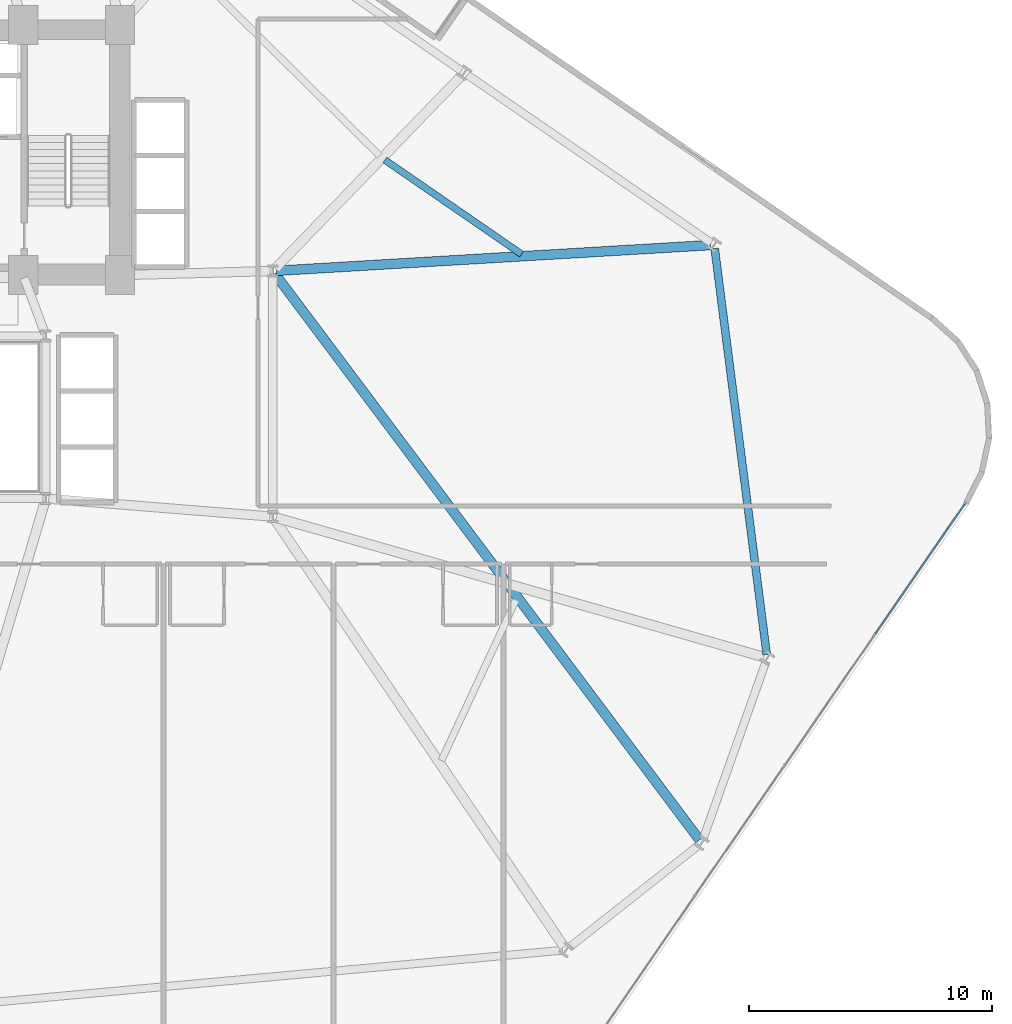
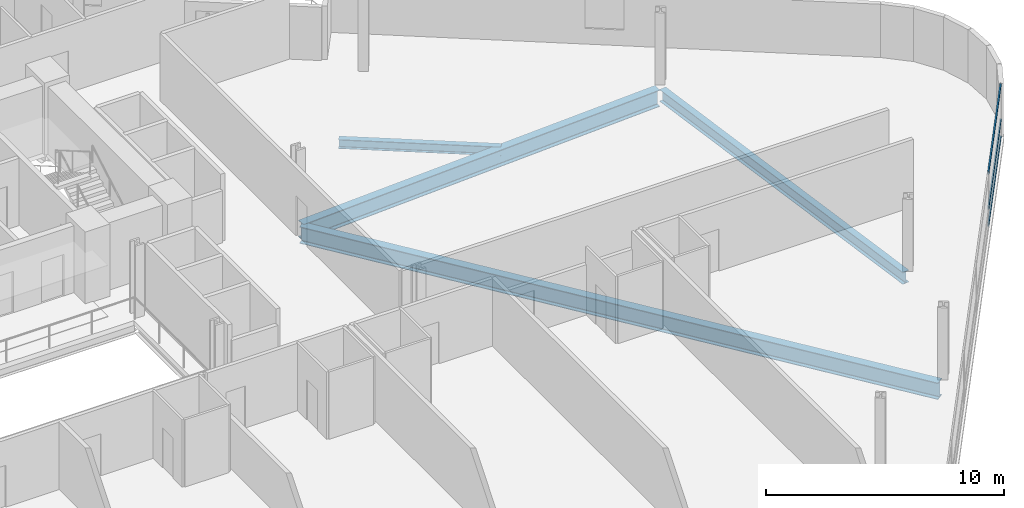
# One storey, part 10 of 25: 4 beams, 3 members, 1 element without a shape of its own.
"""IFC4 building model written with IfcOpenShell, lengths in metres."""

from ifc_helpers import new_model, si_unit, direction, frame, origin, origin_2d, place, context, subcontext, project, spatial, hollow_rectangle, i_section, extrude, material, layer, layer_set, material_profile, profile_set, type_object, element, aggregate, save


model = new_model("IFC4")

# Units and contexts
model_context = context("Model", 3, precision=1e-05, world=origin(), true_north=direction((0.0, 1.0)))
body_context = subcontext(model_context, "Body", "Model", "MODEL_VIEW")
ifc_project = project(units=[si_unit("LENGTHUNIT", "METRE"), si_unit("AREAUNIT", "SQUARE_METRE"), si_unit("VOLUMEUNIT", "CUBIC_METRE"), si_unit("PLANEANGLEUNIT", "RADIAN"), si_unit("MASSUNIT", "GRAM", prefix="KILO")], contexts=[model_context])

# Site, building, storey
site_placement = place(None, origin())
site = spatial("IfcSite", under=ifc_project, at=site_placement, CompositionType="ELEMENT")
building_placement = place(site_placement, origin())
building = spatial("IfcBuilding", under=site, at=building_placement, Name="Varnelok Gate Tower", CompositionType="ELEMENT")
storey_placement = place(building_placement, frame((0.0, 0.0, 49.199951171875)))
storey = spatial("IfcBuildingStorey", under=building, at=storey_placement, Name="L11", CompositionType="ELEMENT", Elevation=49.199951171875)

# Beams
ifc_material_1 = material(Name="Structural Steel ASTM A992 Grade 50", Category="steel")
ifc_material_profile_1 = material_profile(ifc_material_1, i_section(OverallWidth=0.280029296875, OverallDepth=0.462890625, WebThickness=0.0107421875, FlangeThickness=0.017333984375, FilletRadius=0.014892578125, at=origin_2d()), Name="W18X76")
ifc_profile_set_1 = profile_set([ifc_material_profile_1], Name="Structural Steel ASTM A992 Grade 50")
beam_type_1 = type_object("IfcBeamType", Name="BM-JST-W18X76", PredefinedType="JOIST", material=ifc_profile_set_1)
beam_1_placement = place(storey_placement, frame((64.25048828125, 29.613525390625, -0.4814453125), z_axis=(-0.823548330325, 0.56724610851, 0.0), x_axis=(-0.56724610851, -0.823548330325, 0.0)))
element("IfcBeam", 1, at=beam_1_placement, inside=storey, type_object=beam_type_1, Name="L11 Sector Floor Joist 6", PredefinedType="JOIST", context=body_context, shape_type="SweptSolid", body=[
    extrude(i_section(OverallWidth=0.280029296875, OverallDepth=0.462890625, WebThickness=0.0107421875, FlangeThickness=0.017333984375, FilletRadius=0.014892578125, at=origin_2d()), origin(), (0.0, 0.0, 1.0), 6.844970703125),
])
ifc_material_profile_2 = material_profile(ifc_material_1, i_section(OverallWidth=0.39892578125, OverallDepth=0.85498046875, WebThickness=0.018310546875, FlangeThickness=0.029296875, FilletRadius=0.02392578125, at=origin_2d()), Name="W33X201")
ifc_profile_set_2 = profile_set([ifc_material_profile_2], Name="Structural Steel ASTM A992 Grade 50")
beam_type_2 = type_object("IfcBeamType", Name="BM-PRI-W33X201", PredefinedType="BEAM", material=ifc_profile_set_2)
beam_2_placement = place(storey_placement, frame((54.090087890625, 28.800048828125, -0.677490234375), z_axis=(0.600038863323, -0.799970851033, 0.0), x_axis=(0.799970851033, 0.600038863323, 0.0)))
element("IfcBeam", 2, at=beam_2_placement, inside=storey, type_object=beam_type_2, Name="L11 Radial Floor Girder 7", PredefinedType="BEAM", context=body_context, shape_type="SweptSolid", body=[
    extrude(i_section(OverallWidth=0.39892578125, OverallDepth=0.85498046875, WebThickness=0.018310546875, FlangeThickness=0.029296875, FilletRadius=0.02392578125, at=origin_2d()), origin(), (0.0, 0.0, 1.0), 29.148193359375),
])
beam_3_placement = place(storey_placement, frame((54.149658203125, 28.928955078125, -0.677490234375), z_axis=(0.998250753284, 0.059122191839, 0.0), x_axis=(-0.059122191839, 0.998250753284, 0.0)))
element("IfcBeam", 3, at=beam_3_placement, inside=storey, type_object=beam_type_2, Name="L11 Radial Floor Girder 9", PredefinedType="BEAM", context=body_context, shape_type="SweptSolid", body=[
    extrude(i_section(OverallWidth=0.39892578125, OverallDepth=0.85498046875, WebThickness=0.018310546875, FlangeThickness=0.029296875, FilletRadius=0.02392578125, at=origin_2d()), origin(), (0.0, 0.0, 1.0), 17.91748046875),
])
ifc_material_profile_3 = material_profile(ifc_material_1, i_section(OverallWidth=0.323974609375, OverallDepth=0.611083984375, WebThickness=0.0126953125, FlangeThickness=0.01904296875, FilletRadius=0.01806640625, at=origin_2d()), Name="W24X104")
ifc_profile_set_3 = profile_set([ifc_material_profile_3], Name="Structural Steel ASTM A992 Grade 50")
beam_type_3 = type_object("IfcBeamType", Name="BM-SPN-W24X104", PredefinedType="SPANDREL", material=ifc_profile_set_3)
beam_4_placement = place(storey_placement, frame((74.347900390625, 13.125, -0.555419921875), z_axis=(-0.127122673264, 0.991887002608, 0.0), x_axis=(-0.991887002608, -0.127122673264, 0.0)))
element("IfcBeam", 4, at=beam_4_placement, inside=storey, type_object=beam_type_3, Name="L11 Perimeter Spandrel Beam 8", PredefinedType="SPANDREL", context=body_context, shape_type="SweptSolid", body=[
    extrude(i_section(OverallWidth=0.323974609375, OverallDepth=0.611083984375, WebThickness=0.0126953125, FlangeThickness=0.01904296875, FilletRadius=0.01806640625, at=origin_2d()), origin(), (0.0, 0.0, 1.0), 16.860107421875),
])

# Curtain wall, members
ifc_material_2 = material(Name="Anodized Aluminum Alloy 6063-T6", Category="aluminium")
ifc_layer = layer(ifc_material_2, 0.179931640625)
ifc_layer_set = layer_set([ifc_layer], Name="Anodized Aluminum Alloy 6063-T6")
curtain_wall_type = type_object("IfcCurtainWallType", Name="CW3-HOTEL-VISION", PredefinedType="USERDEFINED", material=ifc_layer_set)
curtain_wall_placement = place(storey_placement, origin())
curtain_wall = element("IfcCurtainWall", 5, at=curtain_wall_placement, inside=storey, type_object=curtain_wall_type, Name="L11 East End Vision Curtain Wall", ObjectType="UNITISED CURTAIN WALL", PredefinedType="USERDEFINED")
ifc_material_profile_4 = material_profile(ifc_material_2, hollow_rectangle(XDim=0.06494140625, YDim=0.159912109375, WallThickness=0.00390625, at=origin_2d()), Name="ALU160X65X4")
ifc_profile_set_4 = profile_set([ifc_material_profile_4], Name="Anodized Aluminum Alloy 6063-T6")
member_type = type_object("IfcMemberType", Name="CW-TRAN-160", PredefinedType="USERDEFINED", material=ifc_profile_set_4)
member_1_placement = place(storey_placement, frame((82.505615234375, 19.3125, 0.032470703125), z_axis=(-0.567298980035, -0.823511910813, 0.0), x_axis=(0.823511910813, -0.567298980035, 0.0)))
member_1 = element("IfcMember", 6, at=member_1_placement, type_object=member_type, Name="CW3 transom 1.1", ObjectType="TRANSOM", PredefinedType="USERDEFINED", context=body_context, shape_type="SweptSolid", body=[
    extrude(hollow_rectangle(XDim=0.06494140625, YDim=0.159912109375, WallThickness=0.00390625, at=origin_2d()), origin(), (0.0, 0.0, 1.0), 6.468994140625),
])
member_2_placement = place(storey_placement, frame((82.505615234375, 19.3125, 0.900146484375), z_axis=(-0.567298980035, -0.823511910813, 0.0), x_axis=(0.823511910813, -0.567298980035, 0.0)))
member_2 = element("IfcMember", 7, at=member_2_placement, type_object=member_type, Name="CW3 transom 1.2", ObjectType="TRANSOM", PredefinedType="USERDEFINED", context=body_context, shape_type="SweptSolid", body=[
    extrude(hollow_rectangle(XDim=0.06494140625, YDim=0.159912109375, WallThickness=0.00390625, at=origin_2d()), origin(), (0.0, 0.0, 1.0), 6.468994140625),
])
member_3_placement = place(storey_placement, frame((82.505615234375, 19.3125, 2.697509765625), z_axis=(-0.567298980035, -0.823511910813, 0.0), x_axis=(0.823511910813, -0.567298980035, 0.0)))
member_3 = element("IfcMember", 8, at=member_3_placement, type_object=member_type, Name="CW3 transom 1.3", ObjectType="TRANSOM", PredefinedType="USERDEFINED", context=body_context, shape_type="SweptSolid", body=[
    extrude(hollow_rectangle(XDim=0.06494140625, YDim=0.159912109375, WallThickness=0.00390625, at=origin_2d()), origin(), (0.0, 0.0, 1.0), 6.468994140625),
])
aggregate(curtain_wall, [member_1, member_2, member_3])

save(model, "model.ifc")
